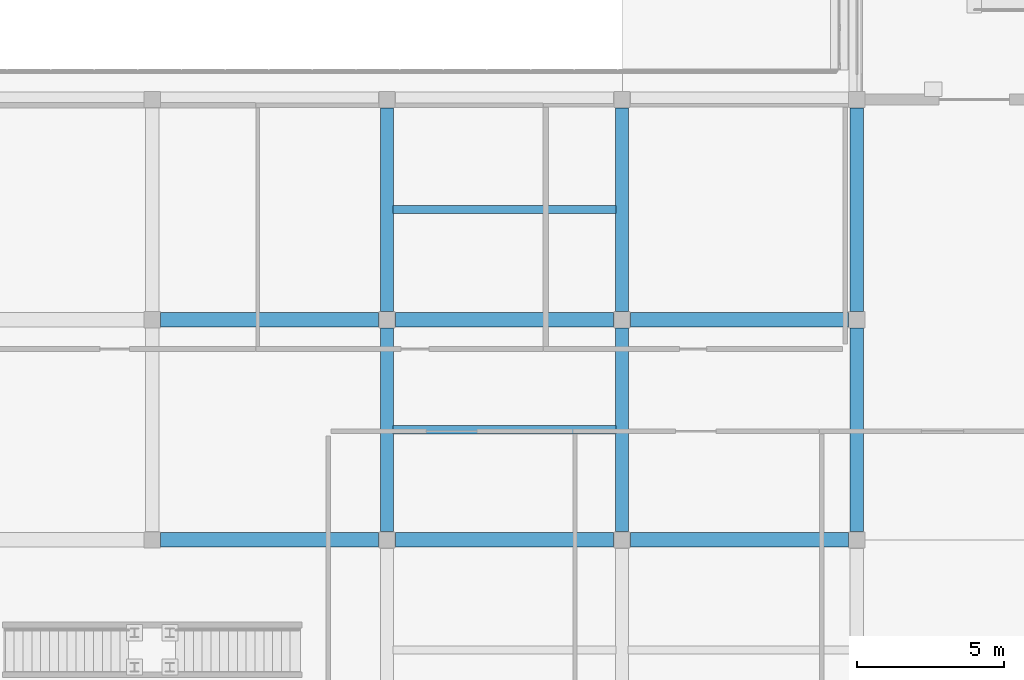
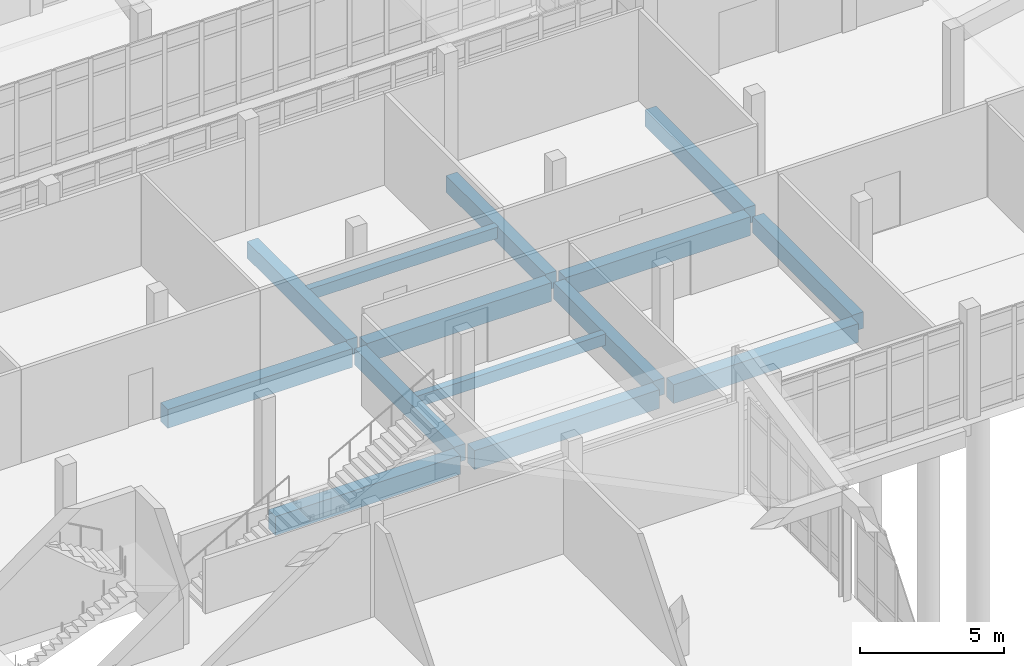
# One storey, part 113 of 173: 14 beams.
"""IFC4 building model written with IfcOpenShell, lengths in metres."""

from ifc_helpers import new_model, si_unit, direction, frame, origin, origin_2d, place, context, subcontext, project, spatial, rectangle, extrude, material, material_profile, profile_set, type_object, element, save


model = new_model("IFC4")

# Units and contexts
model_context = context("Model", 3, precision=1e-05, world=origin(), true_north=direction((0.0, 1.0)))
body_context = subcontext(model_context, "Body", "Model", "MODEL_VIEW")
ifc_project = project(units=[si_unit("LENGTHUNIT", "METRE"), si_unit("AREAUNIT", "SQUARE_METRE"), si_unit("VOLUMEUNIT", "CUBIC_METRE"), si_unit("PLANEANGLEUNIT", "RADIAN"), si_unit("MASSUNIT", "GRAM", prefix="KILO")], contexts=[model_context])

# Site, building, storey
site_placement = place(None, origin())
site = spatial("IfcSite", under=ifc_project, at=site_placement, CompositionType="ELEMENT")
building_placement = place(site_placement, origin())
building = spatial("IfcBuilding", under=site, at=building_placement, Name="Mawjan Specialist Oncology Clinic", CompositionType="ELEMENT")
storey_placement = place(building_placement, origin())
storey = spatial("IfcBuildingStorey", under=building, at=storey_placement, Name="L00", CompositionType="ELEMENT", Elevation=0.0)

# Beams
ifc_material_1 = material(Name="Concrete C40/50", Category="concrete")
ifc_material_profile_1 = material_profile(ifc_material_1, rectangle(XDim=0.449951171875, YDim=0.699951171875, at=origin_2d()), Name="RC BM 450x700", Category="concrete")
ifc_profile_set_1 = profile_set([ifc_material_profile_1], Name="Concrete C40/50")
beam_type_1 = type_object("IfcBeamType", Name="BM-450x700", PredefinedType="BEAM", material=ifc_profile_set_1)
for number, where, z_axis, x_axis, name in (
    (1, (132.0, 83.5849609375, -0.800048828125), (0.0, 1.0, 0.0), (-1.0, 0.0, 0.0), "L00 Collector Beam BM-L00-0198"),
    (2, (132.0, 91.0849609375, -0.800048828125), (0.0, 1.0, 0.0), (-1.0, 0.0, 0.0), "L00 Collector Beam BM-L00-0199"),
    (3, (140.0, 83.5849609375, -0.800048828125), (0.0, 1.0, 0.0), (-1.0, 0.0, 0.0), "L00 Collector Beam BM-L00-0201"),
    (4, (140.0, 91.0849609375, -0.800048828125), (0.0, 1.0, 0.0), (-1.0, 0.0, 0.0), "L00 Collector Beam BM-L00-0202"),
    (5, (148.0, 83.5849609375, -0.800048828125), (0.0, 1.0, 0.0), (-1.0, 0.0, 0.0), "L00 Collector Beam BM-L00-0204"),
    (6, (148.0, 91.0849609375, -0.800048828125), (0.0, 1.0, 0.0), (-1.0, 0.0, 0.0), "L00 Collector Beam BM-L00-0205"),
):
    element("IfcBeam", number, at=place(storey_placement, frame(where, z_axis=z_axis, x_axis=x_axis)), inside=storey, type_object=beam_type_1, Name=name, PredefinedType="BEAM", context=body_context, shape_type="SweptSolid", body=[
        extrude(rectangle(XDim=0.449951171875, YDim=0.699951171875, at=origin_2d()), origin(), (0.0, 0.0, 1.0), 6.929931640625),
    ])
ifc_material_2 = material(Name="Concrete C45/55", Category="concrete")
ifc_material_profile_2 = material_profile(ifc_material_2, rectangle(XDim=0.5, YDim=0.800048828125, at=origin_2d()), Name="RC BM 500x800", Category="concrete")
ifc_profile_set_2 = profile_set([ifc_material_profile_2], Name="Concrete C45/55")
beam_type_2 = type_object("IfcBeamType", Name="BM-500x800", PredefinedType="BEAM", material=ifc_profile_set_2)
for number, where, z_axis, x_axis, name in (
    (7, (124.284912109375, 83.300048828125, -0.85009765625), (1.0, 0.0, 0.0), (0.0, 1.0, 0.0), "L00 Collector Beam BM-L00-0040"),
    (8, (132.284912109375, 83.300048828125, -0.85009765625), (1.0, 0.0, 0.0), (0.0, 1.0, 0.0), "L00 Collector Beam BM-L00-0041"),
    (9, (140.284912109375, 83.300048828125, -0.85009765625), (1.0, 0.0, 0.0), (0.0, 1.0, 0.0), "L00 Collector Beam BM-L00-0042"),
    (10, (124.284912109375, 90.800048828125, -0.85009765625), (1.0, 0.0, 0.0), (0.0, 1.0, 0.0), "L00 Collector Beam BM-L00-0059"),
    (11, (132.284912109375, 90.800048828125, -0.85009765625), (1.0, 0.0, 0.0), (0.0, 1.0, 0.0), "L00 Collector Beam BM-L00-0060"),
    (12, (140.284912109375, 90.800048828125, -0.85009765625), (1.0, 0.0, 0.0), (0.0, 1.0, 0.0), "L00 Collector Beam BM-L00-0061"),
):
    element("IfcBeam", number, at=place(storey_placement, frame(where, z_axis=z_axis, x_axis=x_axis)), inside=storey, type_object=beam_type_2, Name=name, PredefinedType="BEAM", context=body_context, shape_type="SweptSolid", body=[
        extrude(rectangle(XDim=0.5, YDim=0.800048828125, at=origin_2d()), origin(), (0.0, 0.0, 1.0), 7.43017578125),
    ])
ifc_material_3 = material(Name="Concrete C40/50", Category="concrete")
ifc_material_profile_3 = material_profile(ifc_material_3, rectangle(XDim=0.280029296875, YDim=0.47998046875, at=origin_2d()), Name="RC JOIST 280x480", Category="concrete")
ifc_profile_set_3 = profile_set([ifc_material_profile_3], Name="Concrete C40/50")
beam_type_3 = type_object("IfcBeamType", Name="JST-RC280", PredefinedType="JOIST", material=ifc_profile_set_3)
for number, where, z_axis, x_axis, name in (
    (13, (132.199951171875, 87.050048828125, -0.68994140625), (1.0, 0.0, 0.0), (0.0, 1.0, 0.0), "L00 Secondary Floor Joist 5"),
    (14, (132.199951171875, 94.550048828125, -0.68994140625), (1.0, 0.0, 0.0), (0.0, 1.0, 0.0), "L00 Secondary Floor Joist 6"),
):
    element("IfcBeam", number, at=place(storey_placement, frame(where, z_axis=z_axis, x_axis=x_axis)), inside=storey, type_object=beam_type_3, Name=name, PredefinedType="JOIST", context=body_context, shape_type="SweptSolid", body=[
        extrude(rectangle(XDim=0.280029296875, YDim=0.47998046875, at=origin_2d()), origin(), (0.0, 0.0, 1.0), 7.60009765625),
    ])

save(model, "model.ifc")
